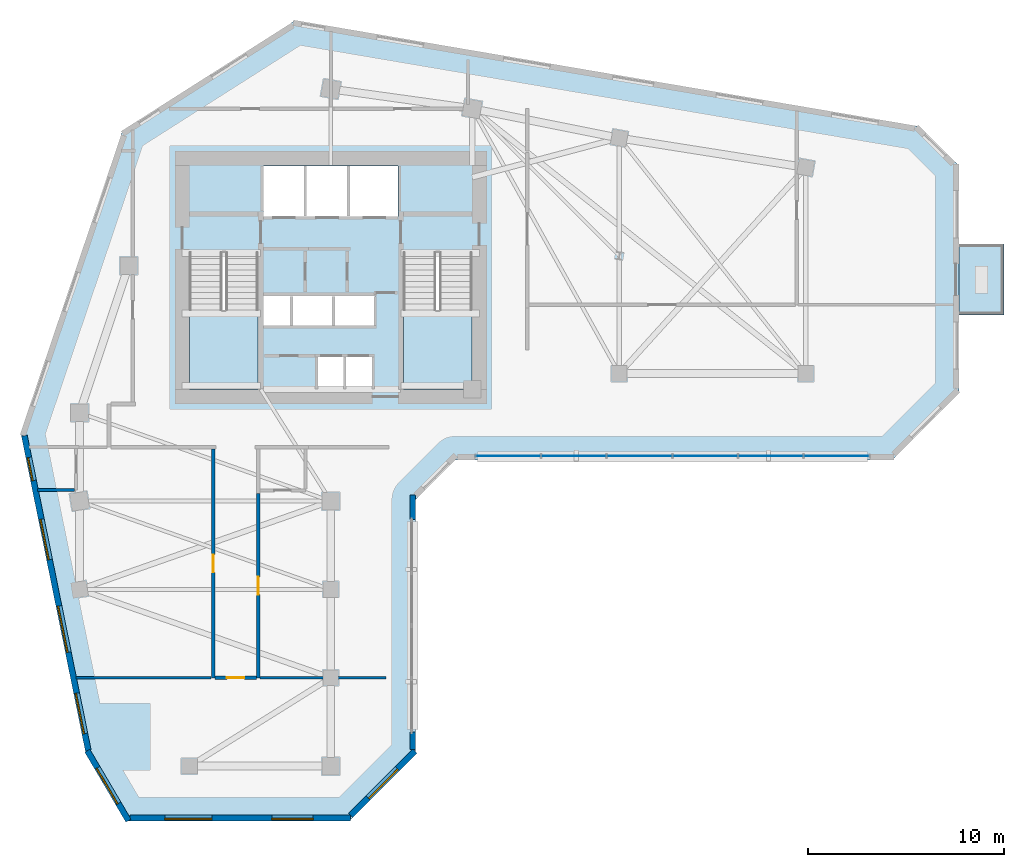
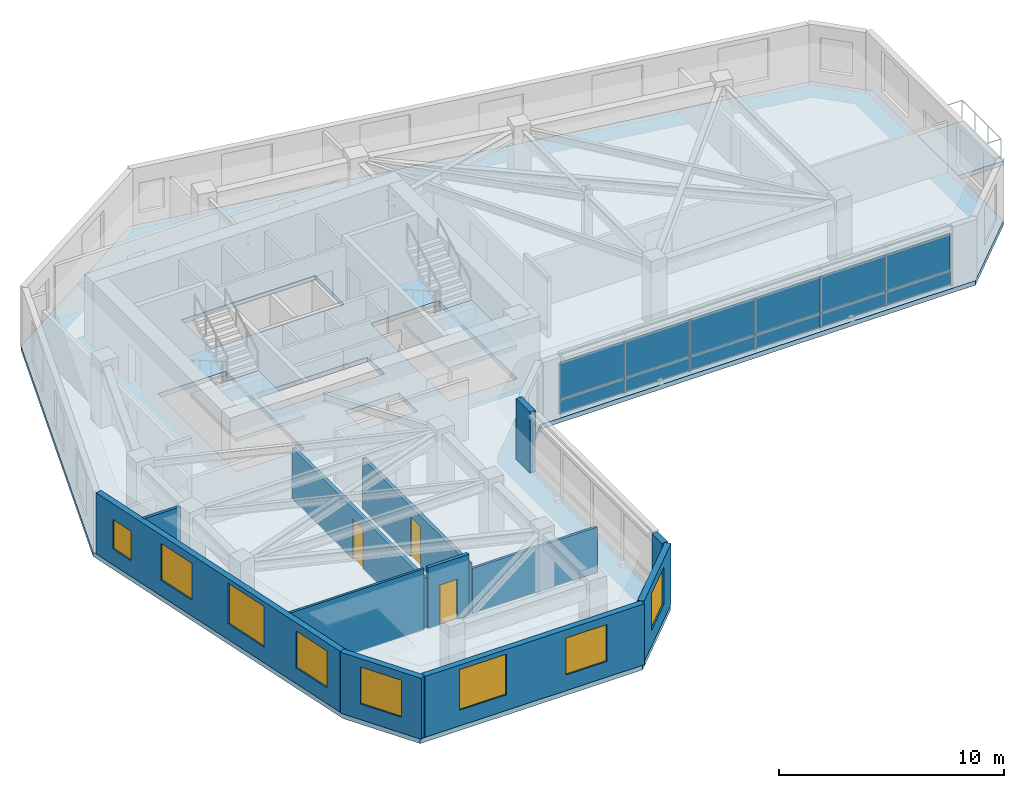
# One storey, part 4 of 10: 12 plates, 12 walls, 8 windows, 4 slabs, 3 doors, 11 openings, 3 elements without a shape of their own.
"""IFC4 building model written with IfcOpenShell, lengths in metres."""

import ifcopenshell
import ifcopenshell.guid

model = None  # the IFC model being written
_history = None  # IfcOwnerHistory: only IFC2X3 demands one
_inside = {}  # id of a spatial element -> (the spatial element, [elements in it])
_under = {}  # id of a project, library or spatial element -> (it, [spatial elements below it])
_declared = {}  # id of a project -> (the project, [libraries it declares])
_typed = {}  # id of a type object -> (the type object, [elements of that type])
_made_of = {}  # id of a material, layer set ... -> (it, [elements and type objects made of it])


def new_model(schema):
    """Start an empty IFC model of exactly this schema.

    Asked for "IFC4X3", IfcOpenShell would pick the latest addendum, in which some entities
    have other attributes; the version numbers below select the first issue.
    IFC2X3 requires an IfcOwnerHistory on every rooted entity: one is made here for all.
    """
    global model, _history
    if schema == "IFC4X3":
        model = ifcopenshell.file(schema_version=(4, 3, 0, 0))
    else:
        model = ifcopenshell.file(schema=schema)
    _inside.clear()
    _under.clear()
    _declared.clear()
    _typed.clear()
    _made_of.clear()
    _history = None
    if model.schema == "IFC2X3":
        org = make("IfcOrganization", Name="unknown")
        user = make(
            "IfcPersonAndOrganization",
            ThePerson=make("IfcPerson", FamilyName="unknown"),
            TheOrganization=org,
        )
        app = make(
            "IfcApplication",
            ApplicationDeveloper=org,
            Version="unknown",
            ApplicationFullName="unknown",
            ApplicationIdentifier="unknown",
        )
        _history = make(
            "IfcOwnerHistory",
            OwningUser=user,
            OwningApplication=app,
            ChangeAction="ADDED",
            CreationDate=0,
        )
    return model


def make(cls, **values):
    """One entity of the class cls with the attributes given. An attribute that is None is left unset."""
    return model.create_entity(
        cls, **{name: value for name, value in values.items() if value is not None}
    )


def rooted(cls, **values):
    """An entity with a GlobalId (a new one), such as an element, a storey or a relation."""
    return make(cls, GlobalId=ifcopenshell.guid.new(), OwnerHistory=_history, **values)


def si_unit(unit_type, name, prefix=None):
    """IfcSIUnit, for example si_unit("LENGTHUNIT", "METRE", prefix="MILLI")."""
    return make("IfcSIUnit", UnitType=unit_type, Prefix=prefix, Name=name)


def assignment(units):
    """IfcUnitAssignment: the units of a project."""
    return None if units is None else make("IfcUnitAssignment", Units=units)


def point(xyz):
    """IfcCartesianPoint."""
    return None if xyz is None else make("IfcCartesianPoint", Coordinates=xyz)


def direction(xyz):
    """IfcDirection."""
    return None if xyz is None else make("IfcDirection", DirectionRatios=xyz)


def frame(location, z_axis=None, x_axis=None):
    """IfcAxis2Placement3D, a coordinate frame: its origin and axes. An axis left out is left unset."""
    return make(
        "IfcAxis2Placement3D",
        Location=point(location),
        Axis=direction(z_axis),
        RefDirection=direction(x_axis),
    )


def frame_2d(location, x_axis=None):
    """IfcAxis2Placement2D, a coordinate frame in the plane: its origin and x axis."""
    return make(
        "IfcAxis2Placement2D", Location=point(location), RefDirection=direction(x_axis)
    )


def origin():
    """The frame at (0, 0, 0) with its axes left unset."""
    return frame((0.0, 0.0, 0.0))


def place(relative_to, where):
    """IfcLocalPlacement: puts the frame where relative to a parent placement (None: the world)."""
    return make(
        "IfcLocalPlacement", PlacementRelTo=relative_to, RelativePlacement=where
    )


def context(
    kind, dimensions, precision=None, world=None, true_north=None, identifier=None
):
    """IfcGeometricRepresentationContext, for example the 3D "Model" context."""
    return make(
        "IfcGeometricRepresentationContext",
        ContextIdentifier=identifier,
        ContextType=kind,
        CoordinateSpaceDimension=dimensions,
        Precision=precision,
        WorldCoordinateSystem=world,
        TrueNorth=true_north,
    )


def subcontext(parent, identifier, kind, view, scale=None):
    """IfcGeometricRepresentationSubContext, for example "Body" below "Model"."""
    return make(
        "IfcGeometricRepresentationSubContext",
        ContextIdentifier=identifier,
        ContextType=kind,
        ParentContext=parent,
        TargetScale=scale,
        TargetView=view,
    )


def project(units=None, contexts=None):
    """IfcProject with its units and contexts."""
    return rooted(
        "IfcProject",
        Name="project",
        RepresentationContexts=contexts,
        UnitsInContext=assignment(units),
    )


def spatial(cls, under=None, at=None, **own):
    """A site, building, storey or space (cls), placed at a placement, below another one or the project."""
    s = rooted(cls, ObjectPlacement=at, **own)
    if under is not None:
        _under.setdefault(under.id(), (under, []))[1].append(s)
    return s


def polyline(points):
    """IfcPolyline through the points."""
    return make("IfcPolyline", Points=[point(p) for p in points])


def profile(cls, at=None, kind="AREA", **sizes):
    """A parametric profile (cls). Its sizes go by their IFC names, for example OverallWidth=200.0."""
    return make(cls, ProfileType=kind, Position=at, **sizes)


def rectangle(**sizes):
    """IfcRectangleProfileDef."""
    return profile("IfcRectangleProfileDef", **sizes)


def outline(outer, holes=None, kind="AREA"):
    """IfcArbitraryClosedProfileDef: a profile drawn as a closed curve; with holes, ...WithVoids."""
    if holes is None:
        return make("IfcArbitraryClosedProfileDef", ProfileType=kind, OuterCurve=outer)
    return make(
        "IfcArbitraryProfileDefWithVoids",
        ProfileType=kind,
        OuterCurve=outer,
        InnerCurves=holes,
    )


def extrude(swept, where, along, depth):
    """IfcExtrudedAreaSolid: the profile swept, set in the frame where, extruded along a direction by depth."""
    return make(
        "IfcExtrudedAreaSolid",
        SweptArea=swept,
        Position=where,
        ExtrudedDirection=direction(along),
        Depth=depth,
    )


def shape(context_of_items, identifier, shape_type, items):
    """IfcShapeRepresentation: the items that make up one representation, for example the "Body"."""
    return make(
        "IfcShapeRepresentation",
        ContextOfItems=context_of_items,
        RepresentationIdentifier=identifier,
        RepresentationType=shape_type,
        Items=items,
    )


def source(mapping_origin, context_of_items, identifier, shape_type, items):
    """IfcRepresentationMap: a shape defined once, which mapped items show again and again."""
    return make(
        "IfcRepresentationMap",
        MappingOrigin=mapping_origin,
        MappedRepresentation=shape(context_of_items, identifier, shape_type, items),
    )


def transform(
    local_origin,
    x_axis=None,
    y_axis=None,
    z_axis=None,
    scale=None,
    scale2=None,
    scale3=None,
    uniform=True,
):
    """IfcCartesianTransformationOperator3D, or its non-uniform kind. x_axis, y_axis, z_axis: its Axis1, 2, 3."""
    if uniform:
        return make(
            "IfcCartesianTransformationOperator3D",
            Axis1=direction(x_axis),
            Axis2=direction(y_axis),
            LocalOrigin=point(local_origin),
            Scale=scale,
            Axis3=direction(z_axis),
        )
    return make(
        "IfcCartesianTransformationOperator3DnonUniform",
        Axis1=direction(x_axis),
        Axis2=direction(y_axis),
        LocalOrigin=point(local_origin),
        Scale=scale,
        Axis3=direction(z_axis),
        Scale2=scale2,
        Scale3=scale3,
    )


def mapped(mapping_source, mapping_target):
    """IfcMappedItem: shows the shape of a source again, moved by a transform."""
    return make(
        "IfcMappedItem", MappingSource=mapping_source, MappingTarget=mapping_target
    )


def material(Name=None, Category=None):
    """IfcMaterial."""
    return make("IfcMaterial", Name=Name, Category=Category)


def layer(
    of_material, thickness, ventilated=None, Name=None, Category=None, Priority=None
):
    """IfcMaterialLayer: one layer of a wall or slab, of a material (None: an air gap)."""
    return make(
        "IfcMaterialLayer",
        Material=of_material,
        LayerThickness=thickness,
        IsVentilated=ventilated,
        Name=Name,
        Category=Category,
        Priority=Priority,
    )


def layer_set(layers, Name=None):
    """IfcMaterialLayerSet."""
    return make("IfcMaterialLayerSet", MaterialLayers=layers, LayerSetName=Name)


def made_of(thing, what):
    """Note that an element or type object is made of a material, layer set ...; save() writes the relation."""
    if what is not None:
        _made_of.setdefault(what.id(), (what, []))[1].append(thing)
    return thing


def type_object(cls, material=None, **own):
    """A type object (cls), such as IfcWallType, which elements share."""
    return made_of(rooted(cls, **own), material)


def element(
    cls,
    number,
    at=None,
    inside=None,
    cuts=None,
    type_object=None,
    material=None,
    context=None,
    identifier="Body",
    shape_type=None,
    held_by="IfcProductDefinitionShape",
    body=None,
    shapes=None,
    **own,
):
    """One element of the class cls, such as IfcWall. Its Tag is "e" and its number.

    at: its placement. inside: the storey or other place that contains it. cuts: it is an
    opening in that element (IfcRelVoidsElement). A single representation is given by context,
    identifier, shape_type and body (its items); several are given by shapes. held_by: the class
    of the entity that holds the representations. save() writes the other relations.
    """
    e = rooted(cls, Tag="e%d" % number, ObjectPlacement=at, **own)
    if body is not None:
        shapes = [shape(context, identifier, shape_type, body)]
    if shapes is not None:
        e.Representation = make(held_by, Representations=shapes)
    if inside is not None:
        _inside.setdefault(inside.id(), (inside, []))[1].append(e)
    if cuts is not None:
        rooted(
            "IfcRelVoidsElement", RelatingBuildingElement=cuts, RelatedOpeningElement=e
        )
    if type_object is not None:
        _typed.setdefault(type_object.id(), (type_object, []))[1].append(e)
    return made_of(e, material)


def fill(opening, filler):
    """IfcRelFillsElement: the door or window that sits in an opening."""
    return rooted(
        "IfcRelFillsElement",
        RelatingOpeningElement=opening,
        RelatedBuildingElement=filler,
    )


def aggregate(whole, parts):
    """IfcRelAggregates: a whole, such as a stair, and the parts it consists of."""
    return rooted("IfcRelAggregates", RelatingObject=whole, RelatedObjects=parts)


def save(model, path):
    """Write the relations noted so far, then the file.

    IfcRelAggregates (storeys below a building ...), IfcRelContainedInSpatialStructure (elements
    in a storey), IfcRelDefinesByType, IfcRelAssociatesMaterial and IfcRelDeclares: one each for
    every whole, place, type object, material and project.
    """
    for whole, parts in _under.values():
        aggregate(whole, parts)
    for where, things in _inside.values():
        rooted(
            "IfcRelContainedInSpatialStructure",
            RelatedElements=things,
            RelatingStructure=where,
        )
    for kind, things in _typed.values():
        rooted("IfcRelDefinesByType", RelatedObjects=things, RelatingType=kind)
    for what, things in _made_of.values():
        rooted("IfcRelAssociatesMaterial", RelatedObjects=things, RelatingMaterial=what)
    for by, libraries in _declared.values():
        rooted("IfcRelDeclares", RelatingContext=by, RelatedDefinitions=libraries)
    model.write(path)


model = new_model("IFC4")

# Units and contexts
model_context = context("Model", 3, precision=1e-05, world=origin(), true_north=direction((0.0, 1.0)))
body_context = subcontext(model_context, "Body", "Model", "MODEL_VIEW")
ifc_project = project(units=[si_unit("LENGTHUNIT", "METRE"), si_unit("AREAUNIT", "SQUARE_METRE"), si_unit("VOLUMEUNIT", "CUBIC_METRE"), si_unit("PLANEANGLEUNIT", "RADIAN"), si_unit("MASSUNIT", "GRAM", prefix="KILO")], contexts=[model_context])

# Site, building, storey
site_placement = place(None, origin())
site = spatial("IfcSite", under=ifc_project, at=site_placement, CompositionType="ELEMENT")
building_placement = place(site_placement, origin())
building = spatial("IfcBuilding", under=site, at=building_placement, Name="Calvemar Wedge Station Tower", CompositionType="ELEMENT")
storey_placement = place(building_placement, frame((0.0, 0.0, 168.199951171875)))
storey = spatial("IfcBuildingStorey", under=building, at=storey_placement, Name="L42", CompositionType="ELEMENT", Elevation=168.199951171875)

# Curtain wall, plates
ifc_material_1 = material(Name="Anodised aluminium 6063-T6", Category="aluminium")
curtain_wall_type = type_object("IfcCurtainWallType", Name="CW2", PredefinedType="NOTDEFINED", material=ifc_material_1)
curtain_wall_placement = place(storey_placement, origin())
curtain_wall = element("IfcCurtainWall", 1, at=curtain_wall_placement, inside=storey, type_object=curtain_wall_type, Name="Storey L42 CW2 Recessed Unitised Curtain Wall 6", PredefinedType="NOTDEFINED")
ifc_material_2 = material(Name="Low-E laminated insulated glass", Category="glass")
ifc_layer_1 = layer(ifc_material_2, 0.028076171875)
ifc_layer_set_1 = layer_set([ifc_layer_1], Name="Low-E laminated insulated glass")
plate_type_1 = type_object("IfcPlateType", Name="CW2-GLZ", PredefinedType="CURTAIN_PANEL", material=ifc_layer_set_1)
plate_1_placement = place(storey_placement, frame((31.183837890625, 30.802001953125, 0.8701171875), z_axis=(0.0, 0.0, 1.0), x_axis=(1.0, 0.0, 0.0)))
plate_1 = element("IfcPlate", 2, at=plate_1_placement, type_object=plate_type_1, Name="CW2 vision glass panel 1", PredefinedType="CURTAIN_PANEL", context=body_context, shape_type="SweptSolid", body=[
    extrude(rectangle(XDim=3.309326171875, YDim=0.028076171875, at=frame_2d((1.65478515625, 0.0))), origin(), (0.0, 0.0, 1.0), 1.9599609375),
])
plate_2_placement = place(storey_placement, frame((34.529296875, 30.802001953125, 0.8701171875), z_axis=(0.0, 0.0, 1.0), x_axis=(1.0, 0.0, 0.0)))
plate_2 = element("IfcPlate", 3, at=plate_2_placement, type_object=plate_type_1, Name="CW2 vision glass panel 2", PredefinedType="CURTAIN_PANEL", context=body_context, shape_type="SweptSolid", body=[
    extrude(rectangle(XDim=3.309326171875, YDim=0.028076171875, at=frame_2d((1.65478515625, 0.0))), origin(), (0.0, 0.0, 1.0), 1.9599609375),
])
plate_3_placement = place(storey_placement, frame((37.87451171875, 30.802001953125, 0.8701171875), z_axis=(0.0, 0.0, 1.0), x_axis=(1.0, 0.0, 0.0)))
plate_3 = element("IfcPlate", 4, at=plate_3_placement, type_object=plate_type_1, Name="CW2 vision glass panel 3", PredefinedType="CURTAIN_PANEL", context=body_context, shape_type="SweptSolid", body=[
    extrude(rectangle(XDim=3.309326171875, YDim=0.028076171875, at=frame_2d((1.65478515625, 0.0))), origin(), (0.0, 0.0, 1.0), 1.9599609375),
])
plate_4_placement = place(storey_placement, frame((41.219970703125, 30.802001953125, 0.8701171875), z_axis=(0.0, 0.0, 1.0), x_axis=(1.0, 0.0, 0.0)))
plate_4 = element("IfcPlate", 5, at=plate_4_placement, type_object=plate_type_1, Name="CW2 vision glass panel 4", PredefinedType="CURTAIN_PANEL", context=body_context, shape_type="SweptSolid", body=[
    extrude(rectangle(XDim=3.309326171875, YDim=0.028076171875, at=frame_2d((1.65478515625, 0.0))), origin(), (0.0, 0.0, 1.0), 1.9599609375),
])
plate_5_placement = place(storey_placement, frame((44.565185546875, 30.802001953125, 0.8701171875), z_axis=(0.0, 0.0, 1.0), x_axis=(1.0, 0.0, 0.0)))
plate_5 = element("IfcPlate", 6, at=plate_5_placement, type_object=plate_type_1, Name="CW2 vision glass panel 5", PredefinedType="CURTAIN_PANEL", context=body_context, shape_type="SweptSolid", body=[
    extrude(rectangle(XDim=3.309326171875, YDim=0.028076171875, at=frame_2d((1.65478515625, 0.0))), origin(), (0.0, 0.0, 1.0), 1.9599609375),
])
plate_6_placement = place(storey_placement, frame((47.91064453125, 30.802001953125, 0.8701171875), z_axis=(0.0, 0.0, 1.0), x_axis=(1.0, 0.0, 0.0)))
plate_6 = element("IfcPlate", 7, at=plate_6_placement, type_object=plate_type_1, Name="CW2 vision glass panel 6", PredefinedType="CURTAIN_PANEL", context=body_context, shape_type="SweptSolid", body=[
    extrude(rectangle(XDim=3.309326171875, YDim=0.028076171875, at=frame_2d((1.65478515625, 0.0))), origin(), (0.0, 0.0, 1.0), 1.9599609375),
])
ifc_material_3 = material(Name="Oxidized bronze aluminium spandrel panel 5005-H24", Category="aluminium")
ifc_layer_2 = layer(ifc_material_3, 0.0400390625)
ifc_layer_set_2 = layer_set([ifc_layer_2], Name="Oxidized bronze aluminium spandrel panel 5005-H24")
plate_type_2 = type_object("IfcPlateType", Name="CW2-SPD", PredefinedType="SHEET", material=ifc_layer_set_2)
plate_7_placement = place(storey_placement, frame((31.183837890625, 30.802001953125, 0.080078125), z_axis=(0.0, 0.0, 1.0), x_axis=(1.0, 0.0, 0.0)))
plate_7 = element("IfcPlate", 8, at=plate_7_placement, type_object=plate_type_2, Name="CW2 bronze spandrel panel 1", PredefinedType="SHEET", context=body_context, shape_type="SweptSolid", body=[
    extrude(rectangle(XDim=3.309326171875, YDim=0.0400390625, at=frame_2d((1.65478515625, 0.0))), origin(), (0.0, 0.0, 1.0), 0.75),
])
plate_8_placement = place(storey_placement, frame((34.529296875, 30.802001953125, 0.080078125), z_axis=(0.0, 0.0, 1.0), x_axis=(1.0, 0.0, 0.0)))
plate_8 = element("IfcPlate", 9, at=plate_8_placement, type_object=plate_type_2, Name="CW2 bronze spandrel panel 2", PredefinedType="SHEET", context=body_context, shape_type="SweptSolid", body=[
    extrude(rectangle(XDim=3.309326171875, YDim=0.0400390625, at=frame_2d((1.65478515625, 0.0))), origin(), (0.0, 0.0, 1.0), 0.75),
])
plate_9_placement = place(storey_placement, frame((37.87451171875, 30.802001953125, 0.080078125), z_axis=(0.0, 0.0, 1.0), x_axis=(1.0, 0.0, 0.0)))
plate_9 = element("IfcPlate", 10, at=plate_9_placement, type_object=plate_type_2, Name="CW2 bronze spandrel panel 3", PredefinedType="SHEET", context=body_context, shape_type="SweptSolid", body=[
    extrude(rectangle(XDim=3.309326171875, YDim=0.0400390625, at=frame_2d((1.65478515625, 0.0))), origin(), (0.0, 0.0, 1.0), 0.75),
])
plate_10_placement = place(storey_placement, frame((41.219970703125, 30.802001953125, 0.080078125), z_axis=(0.0, 0.0, 1.0), x_axis=(1.0, 0.0, 0.0)))
plate_10 = element("IfcPlate", 11, at=plate_10_placement, type_object=plate_type_2, Name="CW2 bronze spandrel panel 4", PredefinedType="SHEET", context=body_context, shape_type="SweptSolid", body=[
    extrude(rectangle(XDim=3.309326171875, YDim=0.0400390625, at=frame_2d((1.65478515625, 0.0))), origin(), (0.0, 0.0, 1.0), 0.75),
])
plate_11_placement = place(storey_placement, frame((44.565185546875, 30.802001953125, 0.080078125), z_axis=(0.0, 0.0, 1.0), x_axis=(1.0, 0.0, 0.0)))
plate_11 = element("IfcPlate", 12, at=plate_11_placement, type_object=plate_type_2, Name="CW2 bronze spandrel panel 5", PredefinedType="SHEET", context=body_context, shape_type="SweptSolid", body=[
    extrude(rectangle(XDim=3.309326171875, YDim=0.0400390625, at=frame_2d((1.65478515625, 0.0))), origin(), (0.0, 0.0, 1.0), 0.75),
])
plate_12_placement = place(storey_placement, frame((47.91064453125, 30.802001953125, 0.080078125), z_axis=(0.0, 0.0, 1.0), x_axis=(1.0, 0.0, 0.0)))
plate_12 = element("IfcPlate", 13, at=plate_12_placement, type_object=plate_type_2, Name="CW2 bronze spandrel panel 6", PredefinedType="SHEET", context=body_context, shape_type="SweptSolid", body=[
    extrude(rectangle(XDim=3.309326171875, YDim=0.0400390625, at=frame_2d((1.65478515625, 0.0))), origin(), (0.0, 0.0, 1.0), 0.75),
])
aggregate(curtain_wall, [plate_7, plate_1, plate_8, plate_2, plate_9, plate_3, plate_10, plate_4, plate_11, plate_5, plate_12, plate_6])

# Stair, slab
ifc_material_4 = material(Name="Concrete C45", Category="concrete")
stair_type = type_object("IfcStairType", Name="ST-TYPE-3600", PredefinedType="HALF_TURN_STAIR", material=ifc_material_4)
stair_1_placement = place(storey_placement, origin())
stair_1 = element("IfcStair", 14, at=stair_1_placement, inside=storey, type_object=stair_type, Name="L42 Pressurized Core Exit Stair ST-C1", PredefinedType="HALF_TURN_STAIR")
ifc_layer_3 = layer(ifc_material_4, 0.199951171875)
ifc_layer_set_3 = layer_set([ifc_layer_3], Name="Concrete C45")
slab_type_1 = type_object("IfcSlabType", Name="SL-STAIR-LND-200", PredefinedType="LANDING", material=ifc_layer_set_3)
slab_1_placement = place(storey_placement, frame((0.0, 0.0, 1.60009765625)))
slab_1 = element("IfcSlab", 15, at=slab_1_placement, type_object=slab_type_1, Name="ST-C1 landing 1", PredefinedType="LANDING", context=body_context, shape_type="SweptSolid", body=[
    extrude(outline(polyline([(16.60009765625, 38.25), (16.60009765625, 34.199951171875), (20.10009765625, 34.199951171875), (20.10009765625, 38.25), (16.60009765625, 38.25)])), origin(), (0.0, 0.0, 1.0), 0.199951171875),
])
aggregate(stair_1, [slab_1])

stair_2_placement = place(storey_placement, origin())
stair_2 = element("IfcStair", 16, at=stair_2_placement, inside=storey, type_object=stair_type, Name="L42 Pressurized Core Exit Stair ST-C2", PredefinedType="HALF_TURN_STAIR")
slab_2_placement = place(storey_placement, frame((0.0, 0.0, 1.60009765625)))
slab_2 = element("IfcSlab", 17, at=slab_2_placement, type_object=slab_type_1, Name="ST-C2 landing 1", PredefinedType="LANDING", context=body_context, shape_type="SweptSolid", body=[
    extrude(outline(polyline([(27.5, 38.25), (27.5, 34.199951171875), (31.0, 34.199951171875), (31.0, 38.25), (27.5, 38.25)])), origin(), (0.0, 0.0, 1.0), 0.199951171875),
])
aggregate(stair_2, [slab_2])

# Slabs
ifc_layer_4 = layer(ifc_material_4, 0.239990234375)
ifc_layer_set_4 = layer_set([ifc_layer_4], Name="Concrete C45")
slab_type_2 = type_object("IfcSlabType", Name="SL-TERR-240", PredefinedType="FLOOR", material=ifc_layer_set_4)
slab_3_placement = place(storey_placement, frame((0.0, 0.0, -0.239990234375)))
element("IfcSlab", 18, at=slab_3_placement, inside=storey, type_object=slab_type_2, Name="Storey L42 Planted Spiral Terrace Slab", PredefinedType="FLOOR", context=body_context, shape_type="SweptSolid", body=[
    extrude(outline(polyline([(55.800048828125, 37.991943359375), (58.10009765625, 37.991943359375), (58.10009765625, 41.592041015625), (55.800048828125, 41.592041015625), (55.800048828125, 37.991943359375)])), origin(), (0.0, 0.0, 1.0), 0.239990234375),
])
ifc_material_5 = material(Name="Concrete C50", Category="concrete")
ifc_layer_5 = layer(ifc_material_5, 0.25)
ifc_layer_set_5 = layer_set([ifc_layer_5], Name="Concrete C50")
slab_type_3 = type_object("IfcSlabType", Name="SL-TYP-250", PredefinedType="FLOOR", material=ifc_layer_set_5)
slab_4_placement = place(storey_placement, frame((0.0, 0.0, -0.25)))
element("IfcSlab", 19, at=slab_4_placement, inside=storey, type_object=slab_type_3, Name="Storey L42 Structural Floor Slab", PredefinedType="FLOOR", context=body_context, shape_type="SweptSolid", body=[
    extrude(outline(polyline([(8.0, 32.0), (11.327880859375, 15.60009765625), (13.327880859375, 12.199951171875), (24.72802734375, 12.199951171875), (28.1279296875, 15.60009765625), (28.1279296875, 28.592041015625), (30.1279296875, 30.592041015625), (52.39990234375, 30.592041015625), (55.800048828125, 33.991943359375), (55.800048828125, 45.592041015625), (53.800048828125, 47.592041015625), (22.0, 53.0), (13.199951171875, 47.39990234375), (8.0, 32.0)]), holes=[polyline([(24.52001953125, 35.85009765625), (24.510009765625, 35.85009765625), (23.1201171875, 35.85009765625), (23.1201171875, 34.219970703125), (24.510009765625, 34.219970703125), (24.52001953125, 34.219970703125), (25.909912109375, 34.219970703125), (25.909912109375, 35.85009765625), (24.52001953125, 35.85009765625)]), polyline([(16.60009765625, 34.199951171875), (20.10009765625, 34.199951171875), (20.10009765625, 41.14990234375), (16.60009765625, 41.14990234375), (16.60009765625, 34.199951171875)]), polyline([(27.5, 34.199951171875), (31.0, 34.199951171875), (31.0, 41.14990234375), (27.5, 41.14990234375), (27.5, 34.199951171875)]), polyline([(21.800048828125, 38.949951171875), (21.7900390625, 38.949951171875), (20.3798828125, 38.949951171875), (20.3798828125, 37.449951171875), (21.7900390625, 37.449951171875), (21.800048828125, 37.449951171875), (23.929931640625, 37.449951171875), (23.93994140625, 37.449951171875), (26.080078125, 37.449951171875), (26.080078125, 38.949951171875), (23.93994140625, 38.949951171875), (23.929931640625, 38.949951171875), (21.800048828125, 38.949951171875)]), polyline([(27.219970703125, 43.0), (27.219970703125, 45.580078125), (20.3798828125, 45.580078125), (20.3798828125, 43.0), (27.219970703125, 43.0)])]), origin(), (0.0, 0.0, 1.0), 0.25),
])

# Wall, opening, door
ifc_material_6 = material(Name="Double-stud fire-rated corridor partition")
ifc_layer_6 = layer(ifc_material_6, 0.179931640625)
ifc_layer_set_6 = layer_set([ifc_layer_6], Name="Double-stud fire-rated corridor partition")
wall_type_1 = type_object("IfcWallType", Name="W-CORR-180", PredefinedType="PARTITIONING", material=ifc_layer_set_6)
wall_1_placement = place(storey_placement, frame((17.800048828125, 19.5, 0.0), z_axis=(0.0, 0.0, 1.0), x_axis=(0.0, 1.0, 0.0)))
wall_1 = element("IfcWall", 20, at=wall_1_placement, inside=storey, type_object=wall_type_1, Name="Storey L42 Interior Partition WL-L42-025", PredefinedType="PARTITIONING", context=body_context, shape_type="SweptSolid", body=[
    extrude(rectangle(XDim=11.656005859375, YDim=0.179931640625, at=frame_2d((5.828125, 0.0))), origin(), (0.0, 0.0, 1.0), 2.738037109375),
])
shared_shape_1 = source(origin(), body_context, "Body", "SweptSolid", [
    extrude(rectangle(XDim=0.89990234375, YDim=2.14990234375, at=frame_2d((0.449951171875, 1.074951171875))), frame((0.0, 0.10009765625, 0.0), z_axis=(0.0, -1.0, 0.0), x_axis=(1.0, 0.0, 0.0)), (0.0, 0.0, 1.0), 0.199951171875),
])
opening_1_placement = place(wall_1_placement, frame((5.3779296875, 0.0, 0.0)))
opening_1 = element("IfcOpeningElement", 21, at=opening_1_placement, cuts=wall_1, Name="Opening FD-60", PredefinedType="OPENING", context=body_context, shape_type="MappedRepresentation", body=[
    mapped(shared_shape_1, transform((0.0, 0.0, 0.0), scale=1.0)),
])
ifc_material_7 = material(Name="Fire-rated acoustic timber-core entrance door EI 60", Category="wood")
door_type_1 = type_object("IfcDoorType", Name="DR-FD60-900", OperationType="NOTDEFINED", PredefinedType="DOOR", material=ifc_material_7)
shared_shape_2 = source(origin(), body_context, "Body", "SweptSolid", [
    extrude(rectangle(XDim=0.89990234375, YDim=2.14990234375, at=frame_2d((0.449951171875, 1.074951171875))), frame((0.0, 0.02490234375, 0.0), z_axis=(0.0, -1.0, 0.0), x_axis=(1.0, 0.0, 0.0)), (0.0, 0.0, 1.0), 0.050048828125),
])
door_1_placement = place(opening_1_placement, origin())
door_1 = element("IfcDoor", 22, at=door_1_placement, inside=storey, type_object=door_type_1, Name="L42 Hotel Suite Door", OperationType="SINGLE_SWING_RIGHT", OverallHeight=2.14990234375, OverallWidth=0.89990234375, PredefinedType="DOOR", context=body_context, shape_type="MappedRepresentation", body=[
    mapped(shared_shape_2, transform((0.0, 0.0, 0.0), scale=1.0)),
])
fill(opening_1, door_1)

wall_2_placement = place(storey_placement, frame((20.10009765625, 28.887939453125, 0.0), z_axis=(0.0, 0.0, 1.0), x_axis=(0.0, -1.0, 0.0)))
wall_2 = element("IfcWall", 23, at=wall_2_placement, inside=storey, type_object=wall_type_1, Name="Storey L42 Interior Partition WL-L42-027", PredefinedType="PARTITIONING", context=body_context, shape_type="SweptSolid", body=[
    extrude(rectangle(XDim=9.387939453125, YDim=0.179931640625, at=frame_2d((4.69384765625, 0.0))), origin(), (0.0, 0.0, 1.0), 2.738037109375),
])
opening_2_placement = place(wall_2_placement, frame((4.243896484375, 0.0, 0.0)))
opening_2 = element("IfcOpeningElement", 24, at=opening_2_placement, cuts=wall_2, Name="Opening FD-60", PredefinedType="OPENING", context=body_context, shape_type="MappedRepresentation", body=[
    mapped(shared_shape_1, transform((0.0, 0.0, 0.0), scale=1.0)),
])
door_2_placement = place(opening_2_placement, origin())
door_2 = element("IfcDoor", 25, at=door_2_placement, inside=storey, type_object=door_type_1, Name="L42 Hotel Suite Door", OperationType="SINGLE_SWING_RIGHT", OverallHeight=2.14990234375, OverallWidth=0.89990234375, PredefinedType="DOOR", context=body_context, shape_type="MappedRepresentation", body=[
    mapped(shared_shape_2, transform((0.0, 0.0, 0.0), scale=1.0)),
])
fill(opening_2, door_2)

wall_3_placement = place(storey_placement, frame((20.006103515625, 19.5, 0.0), z_axis=(0.0, 0.0, 1.0), x_axis=(-1.0, 0.0, 0.0)))
wall_3 = element("IfcWall", 26, at=wall_3_placement, inside=storey, type_object=wall_type_1, Name="Storey L42 Interior Partition WL-L42-028", PredefinedType="PARTITIONING", context=body_context, shape_type="SweptSolid", body=[
    extrude(rectangle(XDim=2.112060546875, YDim=0.179931640625, at=frame_2d((1.05615234375, 0.0))), origin(), (0.0, 0.0, 1.0), 3.300048828125),
])
opening_3_placement = place(wall_3_placement, frame((0.60595703125, 0.0, 0.0)))
opening_3 = element("IfcOpeningElement", 27, at=opening_3_placement, cuts=wall_3, Name="Opening D-01", PredefinedType="OPENING", context=body_context, shape_type="MappedRepresentation", body=[
    mapped(shared_shape_1, transform((0.0, 0.0, 0.0), scale=1.0)),
])
ifc_material_8 = material(Name="Architectural hardwood acoustic swing door", Category="wood")
door_type_2 = type_object("IfcDoorType", Name="DR-INT-900", OperationType="NOTDEFINED", PredefinedType="DOOR", material=ifc_material_8)
shared_shape_3 = source(origin(), body_context, "Body", "SweptSolid", [
    extrude(rectangle(XDim=0.89990234375, YDim=2.14990234375, at=frame_2d((0.449951171875, 1.074951171875))), frame((0.0, 0.02490234375, 0.0), z_axis=(0.0, -1.0, 0.0), x_axis=(1.0, 0.0, 0.0)), (0.0, 0.0, 1.0), 0.050048828125),
])
door_3_placement = place(opening_3_placement, origin())
door_3 = element("IfcDoor", 28, at=door_3_placement, inside=storey, type_object=door_type_2, Name="L42 Presidential Library Lounge Door", OperationType="SINGLE_SWING_LEFT", OverallHeight=2.14990234375, OverallWidth=0.89990234375, PredefinedType="DOOR", context=body_context, shape_type="MappedRepresentation", body=[
    mapped(shared_shape_3, transform((0.0, 0.0, 0.0), scale=1.0)),
])
fill(opening_3, door_3)

# Wall, opening, window
ifc_material_9 = material(Name="Precast concrete C45", Category="concrete")
ifc_layer_7 = layer(ifc_material_9, 0.300048828125)
ifc_layer_set_7 = layer_set([ifc_layer_7], Name="Precast concrete C45")
wall_type_2 = type_object("IfcWallType", Name="W-EXT-GFRC-300", PredefinedType="SOLIDWALL", material=ifc_layer_set_7)
wall_4_placement = place(storey_placement, frame((11.39404296875, 15.78369140625, 0.0), z_axis=(0.0, 0.0, 1.0), x_axis=(0.50698915279, -0.861952434275, 0.0)))
wall_4 = element("IfcWall", 29, at=wall_4_placement, inside=storey, type_object=wall_type_2, Name="Storey L42 Bronze GFRC Exterior Wall 1", PredefinedType="SOLIDWALL", context=body_context, shape_type="SweptSolid", body=[
    extrude(rectangle(XDim=4.133544921875, YDim=0.300048828125, at=frame_2d((2.06689453125, 0.0))), origin(), (0.0, 0.0, 1.0), 3.300048828125),
])
shared_shape_4 = source(origin(), body_context, "Body", "SweptSolid", [
    extrude(rectangle(XDim=2.10009765625, YDim=2.0, at=frame_2d((1.050048828125, 1.0))), frame((0.0, 0.16015625, 0.0), z_axis=(0.0, -1.0, 0.0), x_axis=(1.0, 0.0, 0.0)), (0.0, 0.0, 1.0), 0.320068359375),
])
opening_4_placement = place(wall_4_placement, frame((1.01708984375, 0.0, 0.85009765625)))
opening_4 = element("IfcOpeningElement", 30, at=opening_4_placement, cuts=wall_4, Name="Opening W4", PredefinedType="OPENING", context=body_context, shape_type="MappedRepresentation", body=[
    mapped(shared_shape_4, transform((0.0, 0.0, 0.0), scale=1.0)),
])
window_type_1 = type_object("IfcWindowType", Name="WIN-EXT-4", PartitioningType="SINGLE_PANEL", PredefinedType="WINDOW", material=ifc_material_2)
shared_shape_5 = source(origin(), body_context, "Body", "SweptSolid", [
    extrude(rectangle(XDim=2.10009765625, YDim=2.0, at=frame_2d((1.050048828125, 1.0))), frame((0.0, -0.014892578125, 0.0), z_axis=(0.0, -1.0, 0.0), x_axis=(1.0, 0.0, 0.0)), (0.0, 0.0, 1.0), 0.06005859375),
])
window_1_placement = place(opening_4_placement, origin())
window_1 = element("IfcWindow", 31, at=window_1_placement, inside=storey, type_object=window_type_1, Name="Storey L42 Recessed Window 1.1", OverallHeight=2.0, OverallWidth=2.10009765625, PartitioningType="SINGLE_PANEL", PredefinedType="WINDOW", context=body_context, shape_type="MappedRepresentation", body=[
    mapped(shared_shape_5, transform((0.0, 0.0, 0.0), scale=1.0)),
])
fill(opening_4, window_1)

# Wall, openings, windows
wall_5_placement = place(storey_placement, frame((13.57373046875, 12.35009765625, 0.0), z_axis=(0.0, 0.0, 1.0), x_axis=(1.0, 0.0, 0.0)))
wall_5 = element("IfcWall", 32, at=wall_5_placement, inside=storey, type_object=wall_type_2, Name="Storey L42 Bronze GFRC Exterior Wall 2", PredefinedType="SOLIDWALL", context=body_context, shape_type="SweptSolid", body=[
    extrude(rectangle(XDim=11.2421875, YDim=0.300048828125, at=frame_2d((5.62109375, 0.0))), origin(), (0.0, 0.0, 1.0), 3.300048828125),
])
shared_shape_6 = source(origin(), body_context, "Body", "SweptSolid", [
    extrude(rectangle(XDim=2.39990234375, YDim=2.199951171875, at=frame_2d((1.199951171875, 1.10009765625))), frame((0.0, 0.16015625, 0.0), z_axis=(0.0, -1.0, 0.0), x_axis=(1.0, 0.0, 0.0)), (0.0, 0.0, 1.0), 0.320068359375),
])
opening_5_placement = place(wall_5_placement, frame((1.77099609375, 0.0, 0.85009765625)))
opening_5 = element("IfcOpeningElement", 33, at=opening_5_placement, cuts=wall_5, Name="Opening W1", PredefinedType="OPENING", context=body_context, shape_type="MappedRepresentation", body=[
    mapped(shared_shape_6, transform((0.0, 0.0, 0.0), scale=1.0)),
])
opening_6_placement = place(wall_5_placement, frame((7.221923828125, 0.0, 0.85009765625)))
opening_6 = element("IfcOpeningElement", 34, at=opening_6_placement, cuts=wall_5, Name="Opening W4", PredefinedType="OPENING", context=body_context, shape_type="MappedRepresentation", body=[
    mapped(shared_shape_4, transform((0.0, 0.0, 0.0), scale=1.0)),
])
window_2_placement = place(opening_6_placement, origin())
window_2 = element("IfcWindow", 35, at=window_2_placement, inside=storey, type_object=window_type_1, Name="Storey L42 Recessed Window 2.2", OverallHeight=2.0, OverallWidth=2.10009765625, PartitioningType="SINGLE_PANEL", PredefinedType="WINDOW", context=body_context, shape_type="MappedRepresentation", body=[
    mapped(shared_shape_5, transform((0.0, 0.0, 0.0), scale=1.0)),
])
fill(opening_6, window_2)
window_type_2 = type_object("IfcWindowType", Name="WIN-EXT-1", PartitioningType="SINGLE_PANEL", PredefinedType="WINDOW", material=ifc_material_2)
shared_shape_7 = source(origin(), body_context, "Body", "SweptSolid", [
    extrude(rectangle(XDim=2.39990234375, YDim=2.199951171875, at=frame_2d((1.199951171875, 1.10009765625))), frame((0.0, -0.014892578125, 0.0), z_axis=(0.0, -1.0, 0.0), x_axis=(1.0, 0.0, 0.0)), (0.0, 0.0, 1.0), 0.06005859375),
])
window_3_placement = place(opening_5_placement, origin())
window_3 = element("IfcWindow", 36, at=window_3_placement, inside=storey, type_object=window_type_2, Name="Storey L42 Recessed Window 2.1", OverallHeight=2.199951171875, OverallWidth=2.39990234375, PartitioningType="SINGLE_PANEL", PredefinedType="WINDOW", context=body_context, shape_type="MappedRepresentation", body=[
    mapped(shared_shape_7, transform((0.0, 0.0, 0.0), scale=1.0)),
])
fill(opening_5, window_3)

# Wall, opening, window
wall_6_placement = place(storey_placement, frame((24.803955078125, 12.488037109375, 0.0), z_axis=(0.0, 0.0, 1.0), x_axis=(0.70708046583, 0.707133095564, 0.0)))
wall_6 = element("IfcWall", 37, at=wall_6_placement, inside=storey, type_object=wall_type_2, Name="Storey L42 Bronze GFRC Exterior Wall 3", PredefinedType="SOLIDWALL", context=body_context, shape_type="SweptSolid", body=[
    extrude(rectangle(XDim=4.638916015625, YDim=0.300048828125, at=frame_2d((2.3193359375, 0.0))), origin(), (0.0, 0.0, 1.0), 3.300048828125),
])
opening_7_placement = place(wall_6_placement, frame((1.26904296875, 0.0, 0.85009765625)))
opening_7 = element("IfcOpeningElement", 38, at=opening_7_placement, cuts=wall_6, Name="Opening W4", PredefinedType="OPENING", context=body_context, shape_type="MappedRepresentation", body=[
    mapped(shared_shape_4, transform((0.0, 0.0, 0.0), scale=1.0)),
])
window_4_placement = place(opening_7_placement, origin())
window_4 = element("IfcWindow", 39, at=window_4_placement, inside=storey, type_object=window_type_1, Name="Storey L42 Recessed Window 3.1", OverallHeight=2.0, OverallWidth=2.10009765625, PartitioningType="SINGLE_PANEL", PredefinedType="WINDOW", context=body_context, shape_type="MappedRepresentation", body=[
    mapped(shared_shape_5, transform((0.0, 0.0, 0.0), scale=1.0)),
])
fill(opening_7, window_4)

# Walls
wall_7_placement = place(storey_placement, frame((27.97802734375, 15.857421875, 0.0), z_axis=(0.0, 0.0, 1.0), x_axis=(0.0, 1.0, 0.0)))
element("IfcWall", 40, at=wall_7_placement, inside=storey, type_object=wall_type_2, Name="Storey L42 Bronze GFRC Corner Pier 4A", PredefinedType="SOLIDWALL", context=body_context, shape_type="SweptSolid", body=[
    extrude(rectangle(XDim=0.882080078125, YDim=0.300048828125, at=frame_2d((0.44091796875, 0.0))), origin(), (0.0, 0.0, 1.0), 3.300048828125),
])
wall_8_placement = place(storey_placement, frame((27.97802734375, 27.57666015625, 0.0), z_axis=(0.0, 0.0, 1.0), x_axis=(0.0, 1.0, 0.0)))
element("IfcWall", 41, at=wall_8_placement, inside=storey, type_object=wall_type_2, Name="Storey L42 Bronze GFRC Corner Pier 4B", PredefinedType="SOLIDWALL", context=body_context, shape_type="SweptSolid", body=[
    extrude(rectangle(XDim=1.2275390625, YDim=0.300048828125, at=frame_2d((0.61376953125, 0.0))), origin(), (0.0, 0.0, 1.0), 3.300048828125),
])

# Wall, openings, windows
wall_9_placement = place(storey_placement, frame((8.186767578125, 31.833740234375, 0.0), z_axis=(0.0, 0.0, 1.0), x_axis=(0.198869838988, -0.980025911464, 0.0)))
wall_9 = element("IfcWall", 42, at=wall_9_placement, inside=storey, type_object=wall_type_2, Name="Storey L42 Bronze GFRC Exterior Wall 13", PredefinedType="SOLIDWALL", context=body_context, shape_type="SweptSolid", body=[
    extrude(rectangle(XDim=16.36328125, YDim=0.300048828125, at=frame_2d((8.181640625, 0.0))), origin(), (0.0, 0.0, 1.0), 3.300048828125),
])
shared_shape_8 = source(origin(), body_context, "Body", "SweptSolid", [
    extrude(rectangle(XDim=1.199951171875, YDim=1.60009765625, at=frame_2d((0.60009765625, 0.800048828125))), frame((0.0, 0.16015625, 0.0), z_axis=(0.0, -1.0, 0.0), x_axis=(1.0, 0.0, 0.0)), (0.0, 0.0, 1.0), 0.320068359375),
])
opening_8_placement = place(wall_9_placement, frame((1.131103515625, 0.0, 0.85009765625)))
opening_8 = element("IfcOpeningElement", 43, at=opening_8_placement, cuts=wall_9, Name="Opening W5", PredefinedType="OPENING", context=body_context, shape_type="MappedRepresentation", body=[
    mapped(shared_shape_8, transform((0.0, 0.0, 0.0), scale=1.0)),
])
opening_9_placement = place(wall_9_placement, frame((4.344970703125, 0.0, 0.85009765625)))
opening_9 = element("IfcOpeningElement", 44, at=opening_9_placement, cuts=wall_9, Name="Opening W4", PredefinedType="OPENING", context=body_context, shape_type="MappedRepresentation", body=[
    mapped(shared_shape_4, transform((0.0, 0.0, 0.0), scale=1.0)),
])
opening_10_placement = place(wall_9_placement, frame((8.85693359375, 0.0, 0.85009765625)))
opening_10 = element("IfcOpeningElement", 45, at=opening_10_placement, cuts=wall_9, Name="Opening W1", PredefinedType="OPENING", context=body_context, shape_type="MappedRepresentation", body=[
    mapped(shared_shape_6, transform((0.0, 0.0, 0.0), scale=1.0)),
])
opening_11_placement = place(wall_9_placement, frame((13.385986328125, 0.0, 0.85009765625)))
opening_11 = element("IfcOpeningElement", 46, at=opening_11_placement, cuts=wall_9, Name="Opening W4", PredefinedType="OPENING", context=body_context, shape_type="MappedRepresentation", body=[
    mapped(shared_shape_4, transform((0.0, 0.0, 0.0), scale=1.0)),
])
window_5_placement = place(opening_9_placement, origin())
window_5 = element("IfcWindow", 47, at=window_5_placement, inside=storey, type_object=window_type_1, Name="Storey L42 Recessed Window 13.2", OverallHeight=2.0, OverallWidth=2.10009765625, PartitioningType="SINGLE_PANEL", PredefinedType="WINDOW", context=body_context, shape_type="MappedRepresentation", body=[
    mapped(shared_shape_5, transform((0.0, 0.0, 0.0), scale=1.0)),
])
fill(opening_9, window_5)
window_6_placement = place(opening_11_placement, origin())
window_6 = element("IfcWindow", 48, at=window_6_placement, inside=storey, type_object=window_type_1, Name="Storey L42 Recessed Window 13.4", OverallHeight=2.0, OverallWidth=2.10009765625, PartitioningType="SINGLE_PANEL", PredefinedType="WINDOW", context=body_context, shape_type="MappedRepresentation", body=[
    mapped(shared_shape_5, transform((0.0, 0.0, 0.0), scale=1.0)),
])
fill(opening_11, window_6)
window_7_placement = place(opening_10_placement, origin())
window_7 = element("IfcWindow", 49, at=window_7_placement, inside=storey, type_object=window_type_2, Name="Storey L42 Recessed Window 13.3", OverallHeight=2.199951171875, OverallWidth=2.39990234375, PartitioningType="SINGLE_PANEL", PredefinedType="WINDOW", context=body_context, shape_type="MappedRepresentation", body=[
    mapped(shared_shape_7, transform((0.0, 0.0, 0.0), scale=1.0)),
])
fill(opening_10, window_7)
window_type_3 = type_object("IfcWindowType", Name="WIN-EXT-5", PartitioningType="SINGLE_PANEL", PredefinedType="WINDOW", material=ifc_material_2)
shared_shape_9 = source(origin(), body_context, "Body", "SweptSolid", [
    extrude(rectangle(XDim=1.199951171875, YDim=1.60009765625, at=frame_2d((0.60009765625, 0.800048828125))), frame((0.0, -0.014892578125, 0.0), z_axis=(0.0, -1.0, 0.0), x_axis=(1.0, 0.0, 0.0)), (0.0, 0.0, 1.0), 0.06005859375),
])
window_8_placement = place(opening_8_placement, origin())
window_8 = element("IfcWindow", 50, at=window_8_placement, inside=storey, type_object=window_type_3, Name="Storey L42 Recessed Window 13.1", OverallHeight=1.60009765625, OverallWidth=1.199951171875, PartitioningType="SINGLE_PANEL", PredefinedType="WINDOW", context=body_context, shape_type="MappedRepresentation", body=[
    mapped(shared_shape_9, transform((0.0, 0.0, 0.0), scale=1.0)),
])
fill(opening_8, window_8)

# Walls
ifc_material_10 = material(Name="Insulated acoustic gypsum stud partition")
ifc_layer_8 = layer(ifc_material_10, 0.125)
ifc_layer_set_8 = layer_set([ifc_layer_8], Name="Insulated acoustic gypsum stud partition")
wall_type_3 = type_object("IfcWallType", Name="W-PART-125", PredefinedType="PARTITIONING", material=ifc_layer_set_8)
wall_10_placement = place(storey_placement, frame((17.7060546875, 19.5, 0.0), z_axis=(0.0, 0.0, 1.0), x_axis=(-1.0, 0.0, 0.0)))
element("IfcWall", 51, at=wall_10_placement, inside=storey, type_object=wall_type_3, Name="Storey L42 Interior Partition WL-L42-031", PredefinedType="PARTITIONING", context=body_context, shape_type="SweptSolid", body=[
    extrude(rectangle(XDim=6.899169921875, YDim=0.125, at=frame_2d((3.44970703125, 0.0))), origin(), (0.0, 0.0, 1.0), 3.300048828125),
])
wall_11_placement = place(storey_placement, frame((26.60009765625, 19.5, 0.0), z_axis=(0.0, 0.0, 1.0), x_axis=(-1.0, 0.0, 0.0)))
element("IfcWall", 52, at=wall_11_placement, inside=storey, type_object=wall_type_3, Name="Storey L42 Interior Partition WL-L42-034", PredefinedType="PARTITIONING", context=body_context, shape_type="SweptSolid", body=[
    extrude(rectangle(XDim=6.406005859375, YDim=0.125, at=frame_2d((3.203125, 0.0))), origin(), (0.0, 0.0, 1.0), 2.442138671875),
])
ifc_material_11 = material(Name="Moisture-resistant acoustic bathroom partition")
ifc_layer_9 = layer(ifc_material_11, 0.14990234375)
ifc_layer_set_9 = layer_set([ifc_layer_9], Name="Moisture-resistant acoustic bathroom partition")
wall_type_4 = type_object("IfcWallType", Name="W-WET-150", PredefinedType="PARTITIONING", material=ifc_layer_set_9)
wall_12_placement = place(storey_placement, frame((10.739501953125, 29.070068359375, 0.0), z_axis=(0.0, 0.0, 1.0), x_axis=(-1.0, 0.0, 0.0)))
element("IfcWall", 53, at=wall_12_placement, inside=storey, type_object=wall_type_4, Name="Storey L42 Interior Partition WL-L42-030", PredefinedType="PARTITIONING", context=body_context, shape_type="SweptSolid", body=[
    extrude(rectangle(XDim=1.87451171875, YDim=0.14990234375, at=frame_2d((0.937255859375, 0.0))), origin(), (0.0, 0.0, 1.0), 3.300048828125),
])

save(model, "model.ifc")
